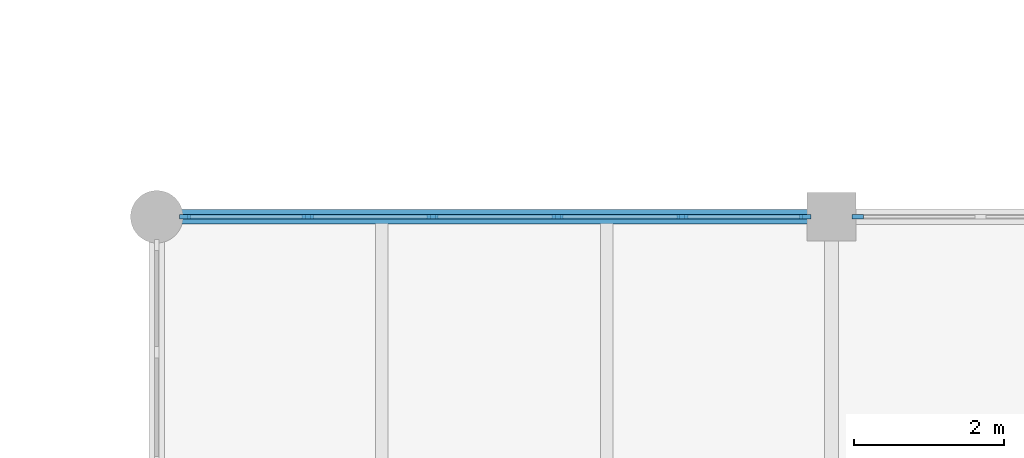
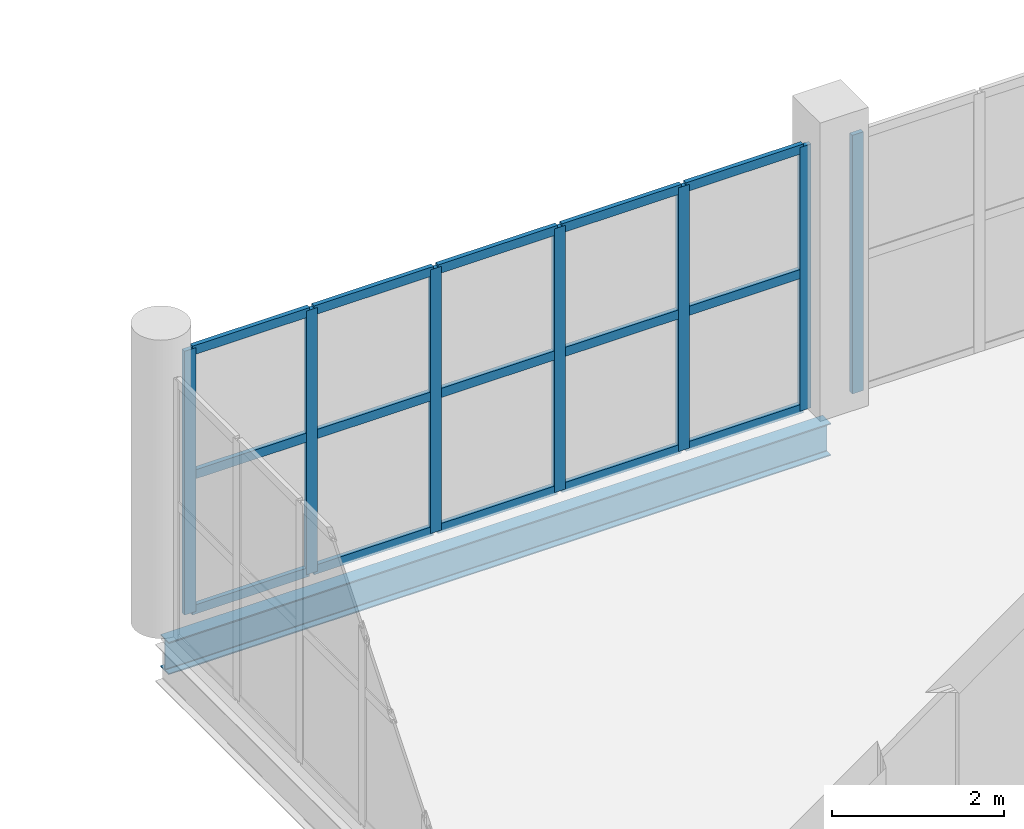
# One storey, part 35 of 85: 22 members, 1 beam, 2 elements without a shape of their own.
"""IFC4 building model written with IfcOpenShell, lengths in metres."""

import ifcopenshell
import ifcopenshell.guid

model = None  # the IFC model being written
_history = None  # IfcOwnerHistory: only IFC2X3 demands one
_inside = {}  # id of a spatial element -> (the spatial element, [elements in it])
_under = {}  # id of a project, library or spatial element -> (it, [spatial elements below it])
_declared = {}  # id of a project -> (the project, [libraries it declares])
_typed = {}  # id of a type object -> (the type object, [elements of that type])
_made_of = {}  # id of a material, layer set ... -> (it, [elements and type objects made of it])


def new_model(schema):
    """Start an empty IFC model of exactly this schema.

    Asked for "IFC4X3", IfcOpenShell would pick the latest addendum, in which some entities
    have other attributes; the version numbers below select the first issue.
    IFC2X3 requires an IfcOwnerHistory on every rooted entity: one is made here for all.
    """
    global model, _history
    if schema == "IFC4X3":
        model = ifcopenshell.file(schema_version=(4, 3, 0, 0))
    else:
        model = ifcopenshell.file(schema=schema)
    _inside.clear()
    _under.clear()
    _declared.clear()
    _typed.clear()
    _made_of.clear()
    _history = None
    if model.schema == "IFC2X3":
        org = make("IfcOrganization", Name="unknown")
        user = make(
            "IfcPersonAndOrganization",
            ThePerson=make("IfcPerson", FamilyName="unknown"),
            TheOrganization=org,
        )
        app = make(
            "IfcApplication",
            ApplicationDeveloper=org,
            Version="unknown",
            ApplicationFullName="unknown",
            ApplicationIdentifier="unknown",
        )
        _history = make(
            "IfcOwnerHistory",
            OwningUser=user,
            OwningApplication=app,
            ChangeAction="ADDED",
            CreationDate=0,
        )
    return model


def make(cls, **values):
    """One entity of the class cls with the attributes given. An attribute that is None is left unset."""
    return model.create_entity(
        cls, **{name: value for name, value in values.items() if value is not None}
    )


def rooted(cls, **values):
    """An entity with a GlobalId (a new one), such as an element, a storey or a relation."""
    return make(cls, GlobalId=ifcopenshell.guid.new(), OwnerHistory=_history, **values)


def si_unit(unit_type, name, prefix=None):
    """IfcSIUnit, for example si_unit("LENGTHUNIT", "METRE", prefix="MILLI")."""
    return make("IfcSIUnit", UnitType=unit_type, Prefix=prefix, Name=name)


def assignment(units):
    """IfcUnitAssignment: the units of a project."""
    return None if units is None else make("IfcUnitAssignment", Units=units)


def point(xyz):
    """IfcCartesianPoint."""
    return None if xyz is None else make("IfcCartesianPoint", Coordinates=xyz)


def direction(xyz):
    """IfcDirection."""
    return None if xyz is None else make("IfcDirection", DirectionRatios=xyz)


def frame(location, z_axis=None, x_axis=None):
    """IfcAxis2Placement3D, a coordinate frame: its origin and axes. An axis left out is left unset."""
    return make(
        "IfcAxis2Placement3D",
        Location=point(location),
        Axis=direction(z_axis),
        RefDirection=direction(x_axis),
    )


def frame_2d(location, x_axis=None):
    """IfcAxis2Placement2D, a coordinate frame in the plane: its origin and x axis."""
    return make(
        "IfcAxis2Placement2D", Location=point(location), RefDirection=direction(x_axis)
    )


def origin():
    """The frame at (0, 0, 0) with its axes left unset."""
    return frame((0.0, 0.0, 0.0))


def origin_2d():
    """The frame at (0, 0) in the plane with its x axis left unset."""
    return frame_2d((0.0, 0.0))


def place(relative_to, where):
    """IfcLocalPlacement: puts the frame where relative to a parent placement (None: the world)."""
    return make(
        "IfcLocalPlacement", PlacementRelTo=relative_to, RelativePlacement=where
    )


def context(
    kind, dimensions, precision=None, world=None, true_north=None, identifier=None
):
    """IfcGeometricRepresentationContext, for example the 3D "Model" context."""
    return make(
        "IfcGeometricRepresentationContext",
        ContextIdentifier=identifier,
        ContextType=kind,
        CoordinateSpaceDimension=dimensions,
        Precision=precision,
        WorldCoordinateSystem=world,
        TrueNorth=true_north,
    )


def subcontext(parent, identifier, kind, view, scale=None):
    """IfcGeometricRepresentationSubContext, for example "Body" below "Model"."""
    return make(
        "IfcGeometricRepresentationSubContext",
        ContextIdentifier=identifier,
        ContextType=kind,
        ParentContext=parent,
        TargetScale=scale,
        TargetView=view,
    )


def project(units=None, contexts=None):
    """IfcProject with its units and contexts."""
    return rooted(
        "IfcProject",
        Name="project",
        RepresentationContexts=contexts,
        UnitsInContext=assignment(units),
    )


def spatial(cls, under=None, at=None, **own):
    """A site, building, storey or space (cls), placed at a placement, below another one or the project."""
    s = rooted(cls, ObjectPlacement=at, **own)
    if under is not None:
        _under.setdefault(under.id(), (under, []))[1].append(s)
    return s


def profile(cls, at=None, kind="AREA", **sizes):
    """A parametric profile (cls). Its sizes go by their IFC names, for example OverallWidth=200.0."""
    return make(cls, ProfileType=kind, Position=at, **sizes)


def rectangle(**sizes):
    """IfcRectangleProfileDef."""
    return profile("IfcRectangleProfileDef", **sizes)


def i_section(**sizes):
    """IfcIShapeProfileDef."""
    return profile("IfcIShapeProfileDef", **sizes)


def extrude(swept, where, along, depth):
    """IfcExtrudedAreaSolid: the profile swept, set in the frame where, extruded along a direction by depth."""
    return make(
        "IfcExtrudedAreaSolid",
        SweptArea=swept,
        Position=where,
        ExtrudedDirection=direction(along),
        Depth=depth,
    )


def shape(context_of_items, identifier, shape_type, items):
    """IfcShapeRepresentation: the items that make up one representation, for example the "Body"."""
    return make(
        "IfcShapeRepresentation",
        ContextOfItems=context_of_items,
        RepresentationIdentifier=identifier,
        RepresentationType=shape_type,
        Items=items,
    )


def material(Name=None, Category=None):
    """IfcMaterial."""
    return make("IfcMaterial", Name=Name, Category=Category)


def layer(
    of_material, thickness, ventilated=None, Name=None, Category=None, Priority=None
):
    """IfcMaterialLayer: one layer of a wall or slab, of a material (None: an air gap)."""
    return make(
        "IfcMaterialLayer",
        Material=of_material,
        LayerThickness=thickness,
        IsVentilated=ventilated,
        Name=Name,
        Category=Category,
        Priority=Priority,
    )


def layer_set(layers, Name=None):
    """IfcMaterialLayerSet."""
    return make("IfcMaterialLayerSet", MaterialLayers=layers, LayerSetName=Name)


def material_profile(
    of_material, cross_section, Name=None, Category=None, Priority=None
):
    """IfcMaterialProfile: a cross section and its material."""
    return make(
        "IfcMaterialProfile",
        Name=Name,
        Material=of_material,
        Profile=cross_section,
        Priority=Priority,
        Category=Category,
    )


def profile_set(profiles, Name=None, composite=None):
    """IfcMaterialProfileSet."""
    return make(
        "IfcMaterialProfileSet",
        Name=Name,
        MaterialProfiles=profiles,
        CompositeProfile=composite,
    )


def made_of(thing, what):
    """Note that an element or type object is made of a material, layer set ...; save() writes the relation."""
    if what is not None:
        _made_of.setdefault(what.id(), (what, []))[1].append(thing)
    return thing


def type_object(cls, material=None, **own):
    """A type object (cls), such as IfcWallType, which elements share."""
    return made_of(rooted(cls, **own), material)


def element(
    cls,
    number,
    at=None,
    inside=None,
    cuts=None,
    type_object=None,
    material=None,
    context=None,
    identifier="Body",
    shape_type=None,
    held_by="IfcProductDefinitionShape",
    body=None,
    shapes=None,
    **own,
):
    """One element of the class cls, such as IfcWall. Its Tag is "e" and its number.

    at: its placement. inside: the storey or other place that contains it. cuts: it is an
    opening in that element (IfcRelVoidsElement). A single representation is given by context,
    identifier, shape_type and body (its items); several are given by shapes. held_by: the class
    of the entity that holds the representations. save() writes the other relations.
    """
    e = rooted(cls, Tag="e%d" % number, ObjectPlacement=at, **own)
    if body is not None:
        shapes = [shape(context, identifier, shape_type, body)]
    if shapes is not None:
        e.Representation = make(held_by, Representations=shapes)
    if inside is not None:
        _inside.setdefault(inside.id(), (inside, []))[1].append(e)
    if cuts is not None:
        rooted(
            "IfcRelVoidsElement", RelatingBuildingElement=cuts, RelatedOpeningElement=e
        )
    if type_object is not None:
        _typed.setdefault(type_object.id(), (type_object, []))[1].append(e)
    return made_of(e, material)


def aggregate(whole, parts):
    """IfcRelAggregates: a whole, such as a stair, and the parts it consists of."""
    return rooted("IfcRelAggregates", RelatingObject=whole, RelatedObjects=parts)


def save(model, path):
    """Write the relations noted so far, then the file.

    IfcRelAggregates (storeys below a building ...), IfcRelContainedInSpatialStructure (elements
    in a storey), IfcRelDefinesByType, IfcRelAssociatesMaterial and IfcRelDeclares: one each for
    every whole, place, type object, material and project.
    """
    for whole, parts in _under.values():
        aggregate(whole, parts)
    for where, things in _inside.values():
        rooted(
            "IfcRelContainedInSpatialStructure",
            RelatedElements=things,
            RelatingStructure=where,
        )
    for kind, things in _typed.values():
        rooted("IfcRelDefinesByType", RelatedObjects=things, RelatingType=kind)
    for what, things in _made_of.values():
        rooted("IfcRelAssociatesMaterial", RelatedObjects=things, RelatingMaterial=what)
    for by, libraries in _declared.values():
        rooted("IfcRelDeclares", RelatingContext=by, RelatedDefinitions=libraries)
    model.write(path)


model = new_model("IFC4")

# Units and contexts
model_context = context("Model", 3, precision=1e-05, world=origin(), true_north=direction((0.0, 1.0)))
body_context = subcontext(model_context, "Body", "Model", "MODEL_VIEW")
ifc_project = project(units=[si_unit("LENGTHUNIT", "METRE"), si_unit("AREAUNIT", "SQUARE_METRE"), si_unit("VOLUMEUNIT", "CUBIC_METRE"), si_unit("PLANEANGLEUNIT", "RADIAN"), si_unit("MASSUNIT", "GRAM", prefix="KILO")], contexts=[model_context])

# Site, building, storey
site_placement = place(None, origin())
site = spatial("IfcSite", under=ifc_project, at=site_placement, CompositionType="ELEMENT")
building_placement = place(site_placement, origin())
building = spatial("IfcBuilding", under=site, at=building_placement, Name="Marnock Terrace Opera House", CompositionType="ELEMENT")
storey_placement = place(building_placement, frame((0.0, 0.0, 10.199951171875)))
storey = spatial("IfcBuildingStorey", under=building, at=storey_placement, Name="L02", CompositionType="ELEMENT", Elevation=10.199951171875)

# Beam
ifc_material_1 = material(Name="Steel Grade 350 (AS/NZS 3679.1)", Category="steel")
ifc_material_profile_1 = material_profile(ifc_material_1, i_section(OverallWidth=0.19091796875, OverallDepth=0.46044921875, WebThickness=0.010009765625, FlangeThickness=0.01611328125, FilletRadius=0.011474609375, at=origin_2d()))
ifc_profile_set_1 = profile_set([ifc_material_profile_1], Name="Steel Grade 350 (AS/NZS 3679.1)")
beam_type = type_object("IfcBeamType", Name="BM-GIRD-460A", PredefinedType="BEAM", material=ifc_profile_set_1)
beam_placement = place(storey_placement, frame((118.050048828125, 40.0, -0.490234375), z_axis=(1.0, 0.0, 0.0), x_axis=(0.0, 1.0, 0.0)))
element("IfcBeam", 1, at=beam_placement, inside=storey, type_object=beam_type, Name="L02 girder (118.0..127.0, Y=40.0)", PredefinedType="BEAM", context=body_context, shape_type="SweptSolid", body=[
    extrude(i_section(OverallWidth=0.19091796875, OverallDepth=0.46044921875, WebThickness=0.010009765625, FlangeThickness=0.01611328125, FilletRadius=0.011474609375, at=origin_2d()), origin(), (0.0, 0.0, 1.0), 8.89990234375),
])

# Curtain wall, members
ifc_material_2 = material(Name="Anodised architectural bronze aluminium framing", Category="aluminium")
ifc_layer = layer(ifc_material_2, 0.159912109375)
ifc_layer_set = layer_set([ifc_layer], Name="Anodised architectural bronze aluminium framing")
curtain_wall_type = type_object("IfcCurtainWallType", Name="CW-LOGGIA-86x42", PredefinedType="NOTDEFINED", material=ifc_layer_set)
curtain_wall_1_placement = place(storey_placement, origin())
curtain_wall_1 = element("IfcCurtainWall", 2, at=curtain_wall_1_placement, inside=storey, type_object=curtain_wall_type, Name="L02 glazed Beaux-Arts colonnade curtain wall CW-V5-L02-CS1", PredefinedType="NOTDEFINED")
ifc_material_profile_2 = material_profile(ifc_material_2, rectangle(XDim=0.06005859375, YDim=0.14990234375, at=origin_2d()))
ifc_profile_set_2 = profile_set([ifc_material_profile_2], Name="Anodised architectural bronze aluminium framing")
member_type_1 = type_object("IfcMemberType", Name="CWM-60x150", PredefinedType="MULLION", material=ifc_profile_set_2)
member_1_placement = place(storey_placement, frame((118.3759765625, 40.0, 0.0), z_axis=(0.0, 0.0, 1.0), x_axis=(0.0, 1.0, 0.0)))
member_1 = element("IfcMember", 3, at=member_1_placement, type_object=member_type_1, Name="CW-66 mullion 1", PredefinedType="MULLION", context=body_context, shape_type="SweptSolid", body=[
    extrude(rectangle(XDim=0.06005859375, YDim=0.14990234375, at=origin_2d()), origin(), (0.0, 0.0, 1.0), 3.749755859375),
])
member_2_placement = place(storey_placement, frame((120.0126953125, 40.0, 0.0), z_axis=(0.0, 0.0, 1.0), x_axis=(0.0, 1.0, 0.0)))
member_2 = element("IfcMember", 4, at=member_2_placement, type_object=member_type_1, Name="CW-66 mullion 2", PredefinedType="MULLION", context=body_context, shape_type="SweptSolid", body=[
    extrude(rectangle(XDim=0.06005859375, YDim=0.14990234375, at=origin_2d()), origin(), (0.0, 0.0, 1.0), 3.749755859375),
])
member_3_placement = place(storey_placement, frame((121.67919921875, 40.0, 0.0), z_axis=(0.0, 0.0, 1.0), x_axis=(0.0, 1.0, 0.0)))
member_3 = element("IfcMember", 5, at=member_3_placement, type_object=member_type_1, Name="CW-66 mullion 3", PredefinedType="MULLION", context=body_context, shape_type="SweptSolid", body=[
    extrude(rectangle(XDim=0.06005859375, YDim=0.14990234375, at=origin_2d()), origin(), (0.0, 0.0, 1.0), 3.749755859375),
])
member_4_placement = place(storey_placement, frame((123.345703125, 40.0, 0.0), z_axis=(0.0, 0.0, 1.0), x_axis=(0.0, 1.0, 0.0)))
member_4 = element("IfcMember", 6, at=member_4_placement, type_object=member_type_1, Name="CW-66 mullion 4", PredefinedType="MULLION", context=body_context, shape_type="SweptSolid", body=[
    extrude(rectangle(XDim=0.06005859375, YDim=0.14990234375, at=origin_2d()), origin(), (0.0, 0.0, 1.0), 3.749755859375),
])
member_5_placement = place(storey_placement, frame((125.012451171875, 40.0, 0.0), z_axis=(0.0, 0.0, 1.0), x_axis=(0.0, 1.0, 0.0)))
member_5 = element("IfcMember", 7, at=member_5_placement, type_object=member_type_1, Name="CW-66 mullion 5", PredefinedType="MULLION", context=body_context, shape_type="SweptSolid", body=[
    extrude(rectangle(XDim=0.06005859375, YDim=0.14990234375, at=origin_2d()), origin(), (0.0, 0.0, 1.0), 3.749755859375),
])
member_6_placement = place(storey_placement, frame((126.64892578125, 40.0, 0.0), z_axis=(0.0, 0.0, 1.0), x_axis=(0.0, 1.0, 0.0)))
member_6 = element("IfcMember", 8, at=member_6_placement, type_object=member_type_1, Name="CW-66 mullion 6", PredefinedType="MULLION", context=body_context, shape_type="SweptSolid", body=[
    extrude(rectangle(XDim=0.06005859375, YDim=0.14990234375, at=origin_2d()), origin(), (0.0, 0.0, 1.0), 3.749755859375),
])

# Curtain wall, member
curtain_wall_2_placement = place(storey_placement, origin())
curtain_wall_2 = element("IfcCurtainWall", 9, at=curtain_wall_2_placement, inside=storey, type_object=curtain_wall_type, Name="L02 glazed Beaux-Arts colonnade curtain wall CW-V5-L02-CS2", PredefinedType="NOTDEFINED")
member_7_placement = place(storey_placement, frame((127.35107421875, 40.0, 0.0), z_axis=(0.0, 0.0, 1.0), x_axis=(0.0, 1.0, 0.0)))
member_7 = element("IfcMember", 10, at=member_7_placement, type_object=member_type_1, Name="CW-66 mullion 1", PredefinedType="MULLION", context=body_context, shape_type="SweptSolid", body=[
    extrude(rectangle(XDim=0.06005859375, YDim=0.14990234375, at=origin_2d()), origin(), (0.0, 0.0, 1.0), 3.677001953125),
])
aggregate(curtain_wall_2, [member_7])

# Member
ifc_material_profile_3 = material_profile(ifc_material_2, rectangle(XDim=0.06005859375, YDim=0.1298828125, at=origin_2d()))
ifc_profile_set_3 = profile_set([ifc_material_profile_3], Name="Anodised architectural bronze aluminium framing")
member_type_2 = type_object("IfcMemberType", Name="CWT-60x130", PredefinedType="USERDEFINED", material=ifc_profile_set_3)
member_8_placement = place(storey_placement, frame((118.406005859375, 40.0, 0.030029296875), z_axis=(1.0, 0.0, 0.0), x_axis=(0.0, 1.0, 0.0)))
member_8 = element("IfcMember", 11, at=member_8_placement, type_object=member_type_2, Name="CW-66 transom 1.1", ObjectType="TRANSOM", PredefinedType="USERDEFINED", context=body_context, shape_type="SweptSolid", body=[
    extrude(rectangle(XDim=0.06005859375, YDim=0.1298828125, at=origin_2d()), origin(), (0.0, 0.0, 1.0), 1.57666015625),
])

member_9_placement = place(storey_placement, frame((118.406005859375, 40.0, 1.949951171875), z_axis=(1.0, 0.0, 0.0), x_axis=(0.0, 1.0, 0.0)))
member_9 = element("IfcMember", 12, at=member_9_placement, type_object=member_type_2, Name="CW-66 transom 1.2", ObjectType="TRANSOM", PredefinedType="USERDEFINED", context=body_context, shape_type="SweptSolid", body=[
    extrude(rectangle(XDim=0.06005859375, YDim=0.1298828125, at=origin_2d()), origin(), (0.0, 0.0, 1.0), 1.57666015625),
])

member_10_placement = place(storey_placement, frame((118.406005859375, 40.0, 3.7197265625), z_axis=(1.0, 0.0, 0.0), x_axis=(0.0, 1.0, 0.0)))
member_10 = element("IfcMember", 13, at=member_10_placement, type_object=member_type_2, Name="CW-66 transom 1.3", ObjectType="TRANSOM", PredefinedType="USERDEFINED", context=body_context, shape_type="SweptSolid", body=[
    extrude(rectangle(XDim=0.06005859375, YDim=0.1298828125, at=origin_2d()), origin(), (0.0, 0.0, 1.0), 1.57666015625),
])

member_11_placement = place(storey_placement, frame((120.04248046875, 40.0, 0.030029296875), z_axis=(1.0, 0.0, 0.0), x_axis=(0.0, 1.0, 0.0)))
member_11 = element("IfcMember", 14, at=member_11_placement, type_object=member_type_2, Name="CW-66 transom 2.1", ObjectType="TRANSOM", PredefinedType="USERDEFINED", context=body_context, shape_type="SweptSolid", body=[
    extrude(rectangle(XDim=0.06005859375, YDim=0.1298828125, at=origin_2d()), origin(), (0.0, 0.0, 1.0), 1.606689453125),
])

member_12_placement = place(storey_placement, frame((120.04248046875, 40.0, 1.949951171875), z_axis=(1.0, 0.0, 0.0), x_axis=(0.0, 1.0, 0.0)))
member_12 = element("IfcMember", 15, at=member_12_placement, type_object=member_type_2, Name="CW-66 transom 2.2", ObjectType="TRANSOM", PredefinedType="USERDEFINED", context=body_context, shape_type="SweptSolid", body=[
    extrude(rectangle(XDim=0.06005859375, YDim=0.1298828125, at=origin_2d()), origin(), (0.0, 0.0, 1.0), 1.606689453125),
])

member_13_placement = place(storey_placement, frame((120.04248046875, 40.0, 3.7197265625), z_axis=(1.0, 0.0, 0.0), x_axis=(0.0, 1.0, 0.0)))
member_13 = element("IfcMember", 16, at=member_13_placement, type_object=member_type_2, Name="CW-66 transom 2.3", ObjectType="TRANSOM", PredefinedType="USERDEFINED", context=body_context, shape_type="SweptSolid", body=[
    extrude(rectangle(XDim=0.06005859375, YDim=0.1298828125, at=origin_2d()), origin(), (0.0, 0.0, 1.0), 1.606689453125),
])

member_14_placement = place(storey_placement, frame((121.709228515625, 40.0, 0.030029296875), z_axis=(1.0, 0.0, 0.0), x_axis=(0.0, 1.0, 0.0)))
member_14 = element("IfcMember", 17, at=member_14_placement, type_object=member_type_2, Name="CW-66 transom 3.1", ObjectType="TRANSOM", PredefinedType="USERDEFINED", context=body_context, shape_type="SweptSolid", body=[
    extrude(rectangle(XDim=0.06005859375, YDim=0.1298828125, at=origin_2d()), origin(), (0.0, 0.0, 1.0), 1.606689453125),
])

member_15_placement = place(storey_placement, frame((121.709228515625, 40.0, 1.949951171875), z_axis=(1.0, 0.0, 0.0), x_axis=(0.0, 1.0, 0.0)))
member_15 = element("IfcMember", 18, at=member_15_placement, type_object=member_type_2, Name="CW-66 transom 3.2", ObjectType="TRANSOM", PredefinedType="USERDEFINED", context=body_context, shape_type="SweptSolid", body=[
    extrude(rectangle(XDim=0.06005859375, YDim=0.1298828125, at=origin_2d()), origin(), (0.0, 0.0, 1.0), 1.606689453125),
])

member_16_placement = place(storey_placement, frame((121.709228515625, 40.0, 3.7197265625), z_axis=(1.0, 0.0, 0.0), x_axis=(0.0, 1.0, 0.0)))
member_16 = element("IfcMember", 19, at=member_16_placement, type_object=member_type_2, Name="CW-66 transom 3.3", ObjectType="TRANSOM", PredefinedType="USERDEFINED", context=body_context, shape_type="SweptSolid", body=[
    extrude(rectangle(XDim=0.06005859375, YDim=0.1298828125, at=origin_2d()), origin(), (0.0, 0.0, 1.0), 1.606689453125),
])

member_17_placement = place(storey_placement, frame((123.375732421875, 40.0, 0.030029296875), z_axis=(1.0, 0.0, 0.0), x_axis=(0.0, 1.0, 0.0)))
member_17 = element("IfcMember", 20, at=member_17_placement, type_object=member_type_2, Name="CW-66 transom 4.1", ObjectType="TRANSOM", PredefinedType="USERDEFINED", context=body_context, shape_type="SweptSolid", body=[
    extrude(rectangle(XDim=0.06005859375, YDim=0.1298828125, at=origin_2d()), origin(), (0.0, 0.0, 1.0), 1.606689453125),
])

member_18_placement = place(storey_placement, frame((123.375732421875, 40.0, 1.949951171875), z_axis=(1.0, 0.0, 0.0), x_axis=(0.0, 1.0, 0.0)))
member_18 = element("IfcMember", 21, at=member_18_placement, type_object=member_type_2, Name="CW-66 transom 4.2", ObjectType="TRANSOM", PredefinedType="USERDEFINED", context=body_context, shape_type="SweptSolid", body=[
    extrude(rectangle(XDim=0.06005859375, YDim=0.1298828125, at=origin_2d()), origin(), (0.0, 0.0, 1.0), 1.606689453125),
])

member_19_placement = place(storey_placement, frame((123.375732421875, 40.0, 3.7197265625), z_axis=(1.0, 0.0, 0.0), x_axis=(0.0, 1.0, 0.0)))
member_19 = element("IfcMember", 22, at=member_19_placement, type_object=member_type_2, Name="CW-66 transom 4.3", ObjectType="TRANSOM", PredefinedType="USERDEFINED", context=body_context, shape_type="SweptSolid", body=[
    extrude(rectangle(XDim=0.06005859375, YDim=0.1298828125, at=origin_2d()), origin(), (0.0, 0.0, 1.0), 1.606689453125),
])

member_20_placement = place(storey_placement, frame((125.04248046875, 40.0, 0.030029296875), z_axis=(1.0, 0.0, 0.0), x_axis=(0.0, 1.0, 0.0)))
member_20 = element("IfcMember", 23, at=member_20_placement, type_object=member_type_2, Name="CW-66 transom 5.1", ObjectType="TRANSOM", PredefinedType="USERDEFINED", context=body_context, shape_type="SweptSolid", body=[
    extrude(rectangle(XDim=0.06005859375, YDim=0.1298828125, at=origin_2d()), origin(), (0.0, 0.0, 1.0), 1.576416015625),
])

member_21_placement = place(storey_placement, frame((125.04248046875, 40.0, 1.949951171875), z_axis=(1.0, 0.0, 0.0), x_axis=(0.0, 1.0, 0.0)))
member_21 = element("IfcMember", 24, at=member_21_placement, type_object=member_type_2, Name="CW-66 transom 5.2", ObjectType="TRANSOM", PredefinedType="USERDEFINED", context=body_context, shape_type="SweptSolid", body=[
    extrude(rectangle(XDim=0.06005859375, YDim=0.1298828125, at=origin_2d()), origin(), (0.0, 0.0, 1.0), 1.576416015625),
])

member_22_placement = place(storey_placement, frame((125.04248046875, 40.0, 3.7197265625), z_axis=(1.0, 0.0, 0.0), x_axis=(0.0, 1.0, 0.0)))
member_22 = element("IfcMember", 25, at=member_22_placement, type_object=member_type_2, Name="CW-66 transom 5.3", ObjectType="TRANSOM", PredefinedType="USERDEFINED", context=body_context, shape_type="SweptSolid", body=[
    extrude(rectangle(XDim=0.06005859375, YDim=0.1298828125, at=origin_2d()), origin(), (0.0, 0.0, 1.0), 1.576416015625),
])

aggregate(curtain_wall_1, [member_1, member_2, member_3, member_4, member_5, member_6, member_8, member_9, member_10, member_11, member_12, member_13, member_14, member_15, member_16, member_17, member_18, member_19, member_20, member_21, member_22])

save(model, "model.ifc")
